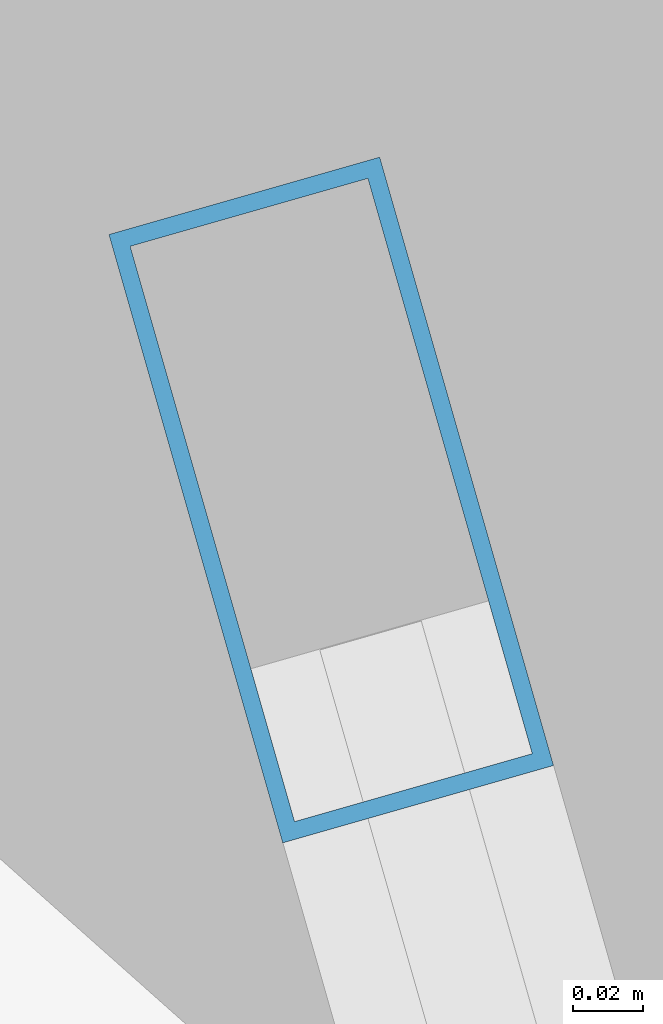
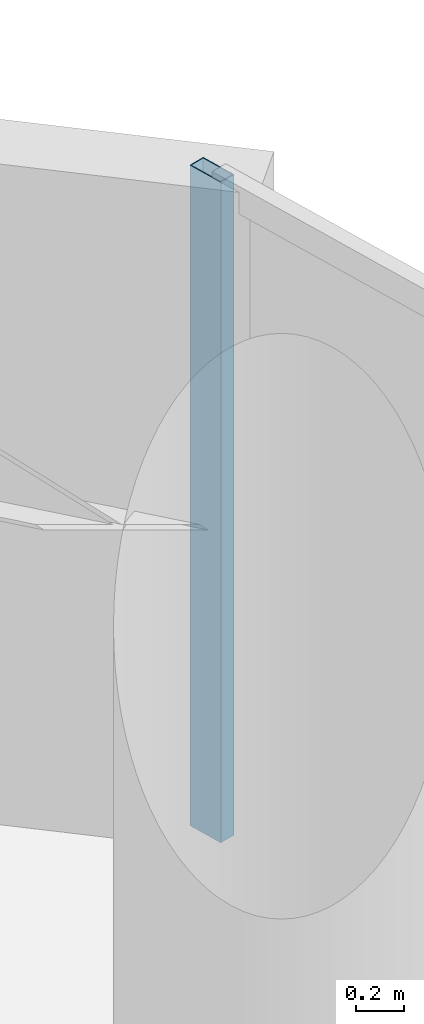
# One storey, part 21 of 32: 1 member, 1 element without a shape of its own.
"""IFC4 building model written with IfcOpenShell, lengths in metres."""

from ifc_helpers import new_model, si_unit, direction, frame, origin, origin_2d, place, context, subcontext, project, spatial, hollow_rectangle, extrude, material, layer, layer_set, material_profile, profile_set, type_object, element, aggregate, save


model = new_model("IFC4")

# Units and contexts
model_context = context("Model", 3, precision=1e-05, world=origin(), true_north=direction((0.0, 1.0)))
body_context = subcontext(model_context, "Body", "Model", "MODEL_VIEW")
ifc_project = project(units=[si_unit("LENGTHUNIT", "METRE"), si_unit("AREAUNIT", "SQUARE_METRE"), si_unit("VOLUMEUNIT", "CUBIC_METRE"), si_unit("PLANEANGLEUNIT", "RADIAN"), si_unit("MASSUNIT", "GRAM", prefix="KILO")], contexts=[model_context])

# Site, building, storey
site_placement = place(None, origin())
site = spatial("IfcSite", under=ifc_project, at=site_placement, CompositionType="ELEMENT")
building_placement = place(site_placement, origin())
building = spatial("IfcBuilding", under=site, at=building_placement, Name="Kazevale Care Tower and Concert Hall", CompositionType="ELEMENT")
storey_placement = place(building_placement, frame((0.0, 0.0, 85.199951171875)))
storey = spatial("IfcBuildingStorey", under=building, at=storey_placement, Name="L22", CompositionType="ELEMENT", Elevation=85.199951171875)

# Curtain wall, member
ifc_material_1 = material(Name="Aluminium 6063-T6 and Low-E Glass", Category="aluminium")
ifc_layer = layer(ifc_material_1, 0.179931640625)
ifc_layer_set = layer_set([ifc_layer], Name="Aluminium 6063-T6 and Low-E Glass")
curtain_wall_type = type_object("IfcCurtainWallType", Name="Waist & Upper Residential Curtain Wall CW-4", PredefinedType="NOTDEFINED", material=ifc_layer_set)
curtain_wall_placement = place(storey_placement, origin())
curtain_wall = element("IfcCurtainWall", 1, at=curtain_wall_placement, inside=storey, type_object=curtain_wall_type, Name="cw:L22:f18", PredefinedType="NOTDEFINED")
ifc_material_2 = material(Name="Aluminium 6063-T6", Category="aluminium")
ifc_material_profile = material_profile(ifc_material_2, hollow_rectangle(XDim=0.080078125, YDim=0.179931640625, WallThickness=0.0048828125, at=origin_2d()), Name="ALU80x180x5")
ifc_profile_set = profile_set([ifc_material_profile], Name="Aluminium 6063-T6")
member_type = type_object("IfcMemberType", Name="CW-4 Mullion ALU80x180x5", PredefinedType="MULLION", material=ifc_profile_set)
member_placement = place(storey_placement, frame((74.7958984375, 49.283447265625, 0.0), z_axis=(0.0, 0.0, 1.0), x_axis=(0.961520742858, 0.274732344388, 0.0)))
member = element("IfcMember", 2, at=member_placement, type_object=member_type, Name="CW-4 mullion 1", PredefinedType="MULLION", context=body_context, shape_type="SweptSolid", body=[
    extrude(hollow_rectangle(XDim=0.080078125, YDim=0.179931640625, WallThickness=0.0048828125, at=origin_2d()), origin(), (0.0, 0.0, 1.0), 3.360107421875),
])
aggregate(curtain_wall, [member])

save(model, "model.ifc")
